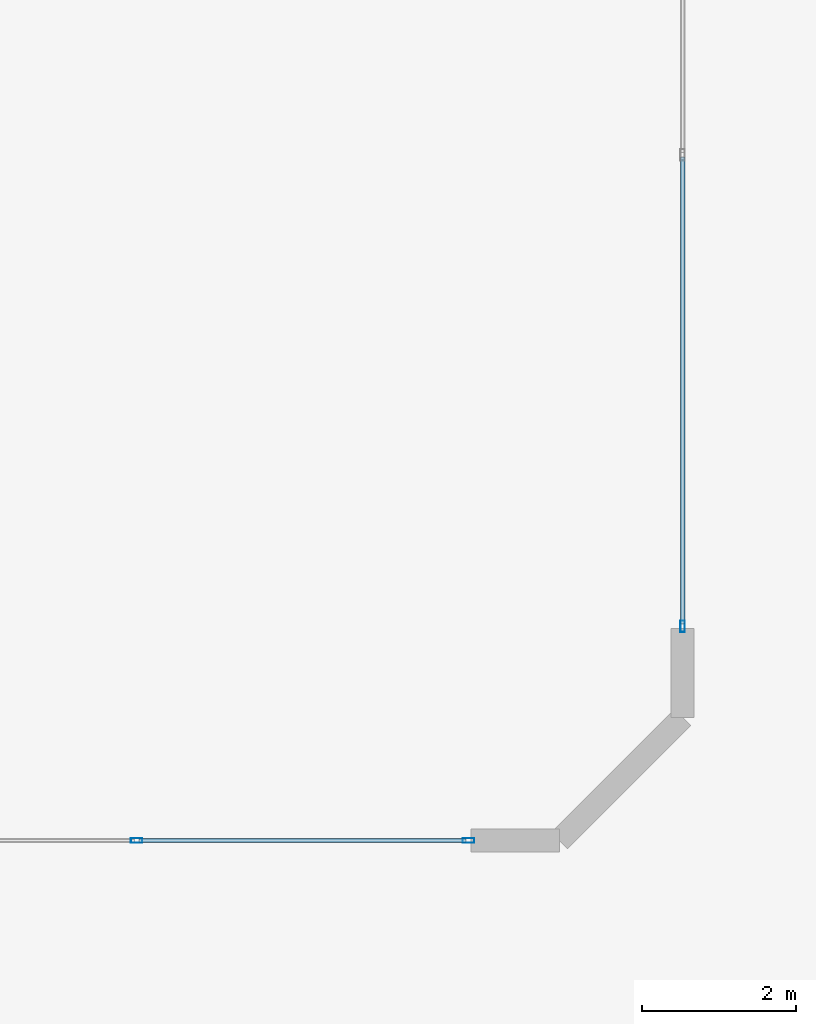
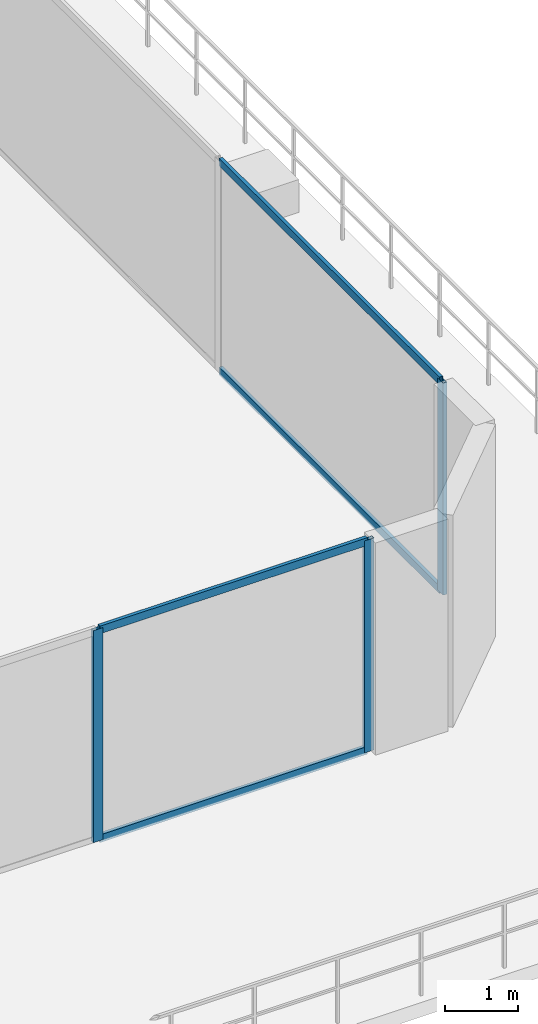
# One storey, part 6 of 16: 7 members, 2 elements without a shape of their own.
"""IFC4 building model written with IfcOpenShell, lengths in metres."""

from ifc_helpers import new_model, si_unit, direction, frame, origin, origin_2d, place, context, subcontext, project, spatial, hollow_rectangle, extrude, material, layer, layer_set, material_profile, profile_set, type_object, element, aggregate, save


model = new_model("IFC4")

# Units and contexts
model_context = context("Model", 3, precision=1e-05, world=origin(), true_north=direction((0.0, 1.0)))
body_context = subcontext(model_context, "Body", "Model", "MODEL_VIEW")
ifc_project = project(units=[si_unit("LENGTHUNIT", "METRE"), si_unit("AREAUNIT", "SQUARE_METRE"), si_unit("VOLUMEUNIT", "CUBIC_METRE"), si_unit("PLANEANGLEUNIT", "RADIAN"), si_unit("MASSUNIT", "GRAM", prefix="KILO")], contexts=[model_context])

# Site, building, storey
site_placement = place(None, origin())
site = spatial("IfcSite", under=ifc_project, at=site_placement, CompositionType="ELEMENT")
building_placement = place(site_placement, origin())
building = spatial("IfcBuilding", under=site, at=building_placement, Name="Zuhayl Quay Hotel", CompositionType="ELEMENT")
storey_placement = place(building_placement, frame((0.0, 0.0, 308.64990234375)))
storey = spatial("IfcBuildingStorey", under=building, at=storey_placement, Name="Crown 4", CompositionType="ELEMENT", Elevation=308.64990234375)

# Curtain wall, member
ifc_material_1 = material(Name="Anodised Aluminium 6063-T6", Category="aluminium")
ifc_layer = layer(ifc_material_1, 0.159912109375, Name="Anodised Aluminium 6063-T6", Category="aluminium")
ifc_layer_set = layer_set([ifc_layer], Name="Anodised Aluminium 6063-T6")
curtain_wall_type = type_object("IfcCurtainWallType", Name="CW_SYS_CRN", PredefinedType="USERDEFINED", material=ifc_layer_set)
curtain_wall_1_placement = place(storey_placement, origin())
curtain_wall_1 = element("IfcCurtainWall", 1, at=curtain_wall_1_placement, inside=storey, type_object=curtain_wall_type, Name="Crown 4 Curtain Wall ENV_CR4_E5_CW1", ObjectType="UNITISED CURTAIN WALL", PredefinedType="USERDEFINED")
ifc_material_2 = material(Name="Black-anodised aluminium 6063-T6", Category="aluminium")
ifc_material_profile_1 = material_profile(ifc_material_2, hollow_rectangle(XDim=0.06005859375, YDim=0.14990234375, WallThickness=0.00341796875, at=origin_2d()), Name="ALU150X60")
ifc_profile_set_1 = profile_set([ifc_material_profile_1], Name="Black-anodised aluminium 6063-T6")
member_type_1 = type_object("IfcMemberType", Name="MB_CW_MUL_150", PredefinedType="MULLION", material=ifc_profile_set_1)
member_1_placement = place(storey_placement, frame((9.39990234375, 16.580078125, 0.0), z_axis=(0.0, 0.0, 1.0), x_axis=(1.0, 0.0, 0.0)))
member_1 = element("IfcMember", 2, at=member_1_placement, type_object=member_type_1, Name="CW-CRN mullion 4", PredefinedType="MULLION", context=body_context, shape_type="SweptSolid", body=[
    extrude(hollow_rectangle(XDim=0.06005859375, YDim=0.14990234375, WallThickness=0.00341796875, at=origin_2d()), origin(), (0.0, 0.0, 1.0), 3.56005859375),
])

# Curtain wall, members
curtain_wall_2_placement = place(storey_placement, origin())
curtain_wall_2 = element("IfcCurtainWall", 3, at=curtain_wall_2_placement, inside=storey, type_object=curtain_wall_type, Name="Crown 4 Curtain Wall ENV_CR4_E7_CW1", ObjectType="UNITISED CURTAIN WALL", PredefinedType="USERDEFINED")
member_2_placement = place(storey_placement, frame((6.6201171875, 13.800048828125, 0.0), z_axis=(0.0, 0.0, 1.0), x_axis=(0.0, -1.0, 0.0)))
member_2 = element("IfcMember", 4, at=member_2_placement, type_object=member_type_1, Name="CW-CRN mullion 1", PredefinedType="MULLION", context=body_context, shape_type="SweptSolid", body=[
    extrude(hollow_rectangle(XDim=0.06005859375, YDim=0.14990234375, WallThickness=0.00341796875, at=origin_2d()), origin(), (0.0, 0.0, 1.0), 3.56005859375),
])
member_3_placement = place(storey_placement, frame((2.3125, 13.800048828125, 0.0), z_axis=(0.0, 0.0, 1.0), x_axis=(0.0, -1.0, 0.0)))
member_3 = element("IfcMember", 5, at=member_3_placement, type_object=member_type_1, Name="CW-CRN mullion 2", PredefinedType="MULLION", context=body_context, shape_type="SweptSolid", body=[
    extrude(hollow_rectangle(XDim=0.06005859375, YDim=0.14990234375, WallThickness=0.00341796875, at=origin_2d()), origin(), (0.0, 0.0, 1.0), 3.56005859375),
])

# Member
ifc_material_profile_2 = material_profile(ifc_material_2, hollow_rectangle(XDim=0.054931640625, YDim=0.1298828125, WallThickness=0.0029296875, at=origin_2d()), Name="ALU130X55")
ifc_profile_set_2 = profile_set([ifc_material_profile_2], Name="Black-anodised aluminium 6063-T6")
member_type_2 = type_object("IfcMemberType", Name="MB_CW_TRN_130", PredefinedType="USERDEFINED", material=ifc_profile_set_2)
member_4_placement = place(storey_placement, frame((9.39990234375, 22.669921875, 0.027587890625), z_axis=(0.0, -1.0, 0.0), x_axis=(1.0, 0.0, 0.0)))
member_4 = element("IfcMember", 6, at=member_4_placement, type_object=member_type_2, Name="CW-CRN transom 3.1", ObjectType="TRANSOM", PredefinedType="USERDEFINED", context=body_context, shape_type="SweptSolid", body=[
    extrude(hollow_rectangle(XDim=0.054931640625, YDim=0.1298828125, WallThickness=0.0029296875, at=origin_2d()), origin(), (0.0, 0.0, 1.0), 6.059814453125),
])

member_5_placement = place(storey_placement, frame((9.39990234375, 22.669921875, 3.53271484375), z_axis=(0.0, -1.0, 0.0), x_axis=(1.0, 0.0, 0.0)))
member_5 = element("IfcMember", 7, at=member_5_placement, type_object=member_type_2, Name="CW-CRN transom 3.2", ObjectType="TRANSOM", PredefinedType="USERDEFINED", context=body_context, shape_type="SweptSolid", body=[
    extrude(hollow_rectangle(XDim=0.054931640625, YDim=0.1298828125, WallThickness=0.0029296875, at=origin_2d()), origin(), (0.0, 0.0, 1.0), 6.059814453125),
])

aggregate(curtain_wall_1, [member_1, member_4, member_5])

member_6_placement = place(storey_placement, frame((6.590087890625, 13.800048828125, 0.027587890625), z_axis=(-1.0, 0.0, 0.0), x_axis=(0.0, -1.0, 0.0)))
member_6 = element("IfcMember", 8, at=member_6_placement, type_object=member_type_2, Name="CW-CRN transom 1.1", ObjectType="TRANSOM", PredefinedType="USERDEFINED", context=body_context, shape_type="SweptSolid", body=[
    extrude(hollow_rectangle(XDim=0.054931640625, YDim=0.1298828125, WallThickness=0.0029296875, at=origin_2d()), origin(), (0.0, 0.0, 1.0), 4.24755859375),
])

member_7_placement = place(storey_placement, frame((6.590087890625, 13.800048828125, 3.53271484375), z_axis=(-1.0, 0.0, 0.0), x_axis=(0.0, -1.0, 0.0)))
member_7 = element("IfcMember", 9, at=member_7_placement, type_object=member_type_2, Name="CW-CRN transom 1.2", ObjectType="TRANSOM", PredefinedType="USERDEFINED", context=body_context, shape_type="SweptSolid", body=[
    extrude(hollow_rectangle(XDim=0.054931640625, YDim=0.1298828125, WallThickness=0.0029296875, at=origin_2d()), origin(), (0.0, 0.0, 1.0), 4.24755859375),
])

aggregate(curtain_wall_2, [member_2, member_3, member_6, member_7])

save(model, "model.ifc")
